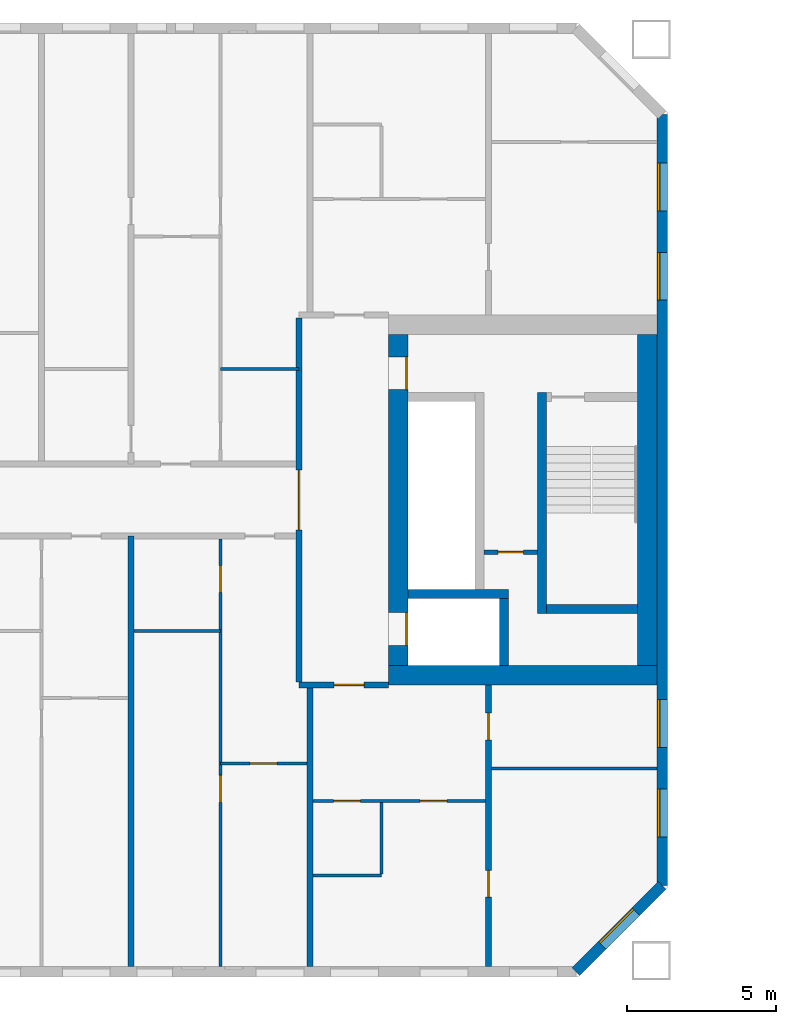
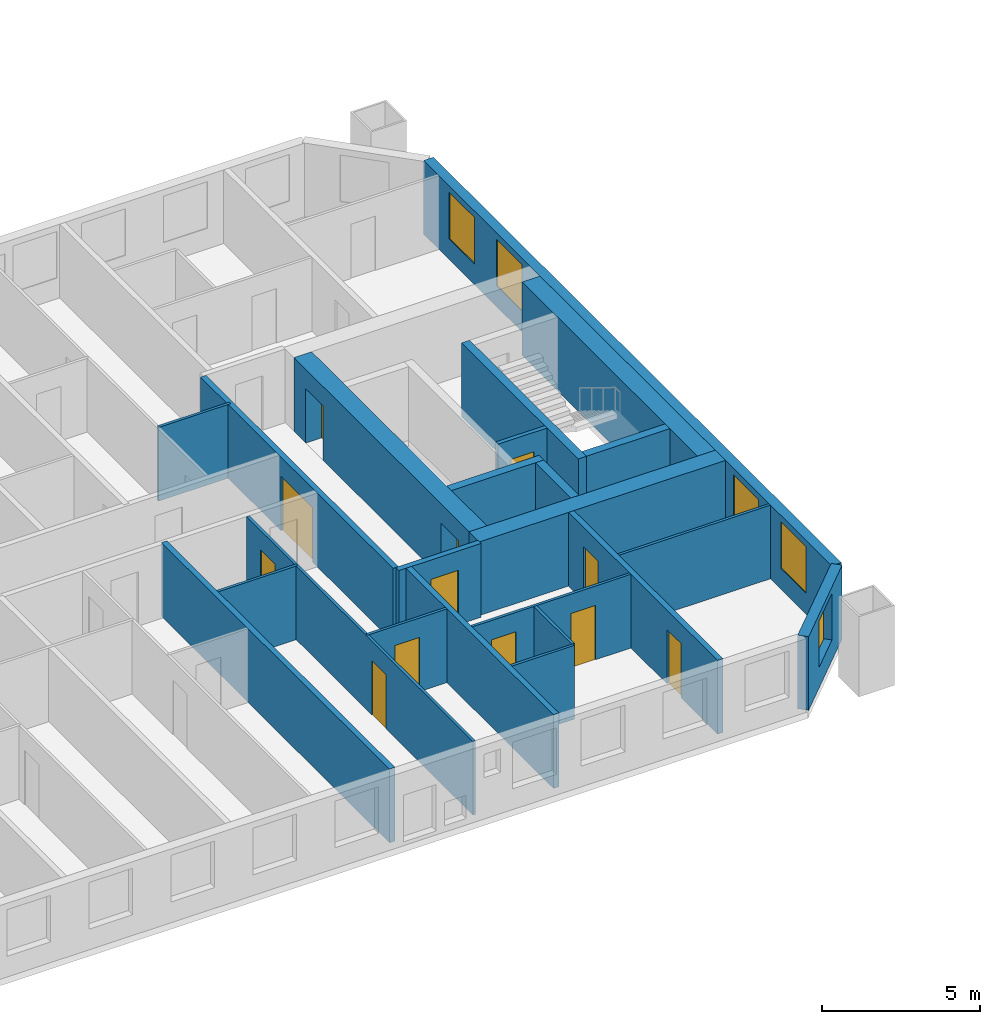
# One storey, part 7 of 17: 23 walls, 12 doors, 5 windows, 17 openings.
"""IFC4 building model written with IfcOpenShell, lengths in metres."""

from ifc_helpers import new_model, si_unit, direction, frame, frame_2d, origin, place, context, subcontext, project, spatial, rectangle, extrude, material, layer, layer_set, type_object, element, fill, save


model = new_model("IFC4")

# Units and contexts
model_context = context("Model", 3, precision=1e-05, world=origin(), true_north=direction((0.0, 1.0)))
body_context = subcontext(model_context, "Body", "Model", "MODEL_VIEW")
ifc_project = project(units=[si_unit("LENGTHUNIT", "METRE"), si_unit("AREAUNIT", "SQUARE_METRE"), si_unit("VOLUMEUNIT", "CUBIC_METRE"), si_unit("PLANEANGLEUNIT", "RADIAN"), si_unit("MASSUNIT", "GRAM", prefix="KILO")], contexts=[model_context])

# Site, building, storey
site_placement = place(None, origin())
site = spatial("IfcSite", under=ifc_project, at=site_placement, CompositionType="ELEMENT")
building_placement = place(site_placement, origin())
building = spatial("IfcBuilding", under=site, at=building_placement, Name="Tuart Gate Housing", CompositionType="ELEMENT")
storey_placement = place(building_placement, frame((0.0, 0.0, 105.699951171875)))
storey = spatial("IfcBuildingStorey", under=building, at=storey_placement, Name="L29", CompositionType="ELEMENT", Elevation=105.699951171875)

# Wall, opening, window
ifc_material_1 = material(Name="Brick", Category="masonry")
ifc_layer_1 = layer(ifc_material_1, 0.360107421875)
ifc_layer_set_1 = layer_set([ifc_layer_1], Name="Brick pier and spandrel wall 360")
wall_type_1 = type_object("IfcWallType", Name="Brick pier and spandrel wall 360", PredefinedType="STANDARD", material=ifc_layer_set_1)
wall_1_placement = place(storey_placement, frame((72.92529296875, 54.179931640625, 0.0), z_axis=(0.0, 0.0, 1.0), x_axis=(0.707106781187, 0.707106781187, 0.0)))
wall_1 = element("IfcWall", 1, at=wall_1_placement, inside=storey, type_object=wall_type_1, Name="External wall A-SE L29", PredefinedType="STANDARD", context=body_context, shape_type="SweptSolid", body=[
    extrude(rectangle(XDim=4.09375, YDim=0.360107421875, at=frame_2d((2.046875, 0.0))), origin(), (0.0, 0.0, 1.0), 2.85009765625),
])
opening_1_placement = place(wall_1_placement, frame((1.2470703125, 0.0, 0.800048828125)))
opening_1 = element("IfcOpeningElement", 2, at=opening_1_placement, cuts=wall_1, Name="Opening W1", PredefinedType="OPENING", context=body_context, shape_type="SweptSolid", body=[
    extrude(rectangle(XDim=1.60009765625, YDim=1.800048828125, at=frame_2d((0.800048828125, 0.89990234375))), frame((0.0, 0.18994140625, 0.0), z_axis=(0.0, -1.0, 0.0), x_axis=(1.0, 0.0, 0.0)), (0.0, 0.0, 1.0), 0.380126953125),
])
ifc_material_2 = material(Name="Aluminium frame with clear glass", Category="aluminium")
window_type = type_object("IfcWindowType", Name="Punched window 1600 x 1800", PartitioningType="SINGLE_PANEL", PredefinedType="WINDOW", material=ifc_material_2)
window_1_placement = place(opening_1_placement, origin())
window_1 = element("IfcWindow", 3, at=window_1_placement, inside=storey, type_object=window_type, Name="Window W1", OverallHeight=1.800048828125, OverallWidth=1.60009765625, PartitioningType="SINGLE_PANEL", PredefinedType="WINDOW", context=body_context, shape_type="SweptSolid", body=[
    extrude(rectangle(XDim=1.60009765625, YDim=1.800048828125, at=frame_2d((0.800048828125, 0.89990234375))), frame((0.0, 0.150146484375, 0.0), z_axis=(0.0, -1.0, 0.0), x_axis=(1.0, 0.0, 0.0)), (0.0, 0.0, 1.0), 0.06005859375),
])
fill(opening_1, window_1)

# Wall, openings, windows
wall_2_placement = place(storey_placement, frame((75.820068359375, 57.07470703125, 0.0), z_axis=(0.0, 0.0, 1.0), x_axis=(0.0, 1.0, 0.0)))
wall_2 = element("IfcWall", 4, at=wall_2_placement, inside=storey, type_object=wall_type_1, Name="External wall A-E L29", PredefinedType="STANDARD", context=body_context, shape_type="SweptSolid", body=[
    extrude(rectangle(XDim=25.850830078125, YDim=0.360107421875, at=frame_2d((12.92529296875, 0.0))), origin(), (0.0, 0.0, 1.0), 2.85009765625),
])
opening_2_placement = place(wall_2_placement, frame((1.62548828125, 0.0, 0.800048828125)))
opening_2 = element("IfcOpeningElement", 5, at=opening_2_placement, cuts=wall_2, Name="Opening W1", PredefinedType="OPENING", context=body_context, shape_type="SweptSolid", body=[
    extrude(rectangle(XDim=1.60009765625, YDim=1.800048828125, at=frame_2d((0.800048828125, 0.89990234375))), frame((0.0, 0.18994140625, 0.0), z_axis=(0.0, -1.0, 0.0), x_axis=(1.0, 0.0, 0.0)), (0.0, 0.0, 1.0), 0.380126953125),
])
opening_3_placement = place(wall_2_placement, frame((4.62548828125, 0.0, 0.800048828125)))
opening_3 = element("IfcOpeningElement", 6, at=opening_3_placement, cuts=wall_2, Name="Opening W1", PredefinedType="OPENING", context=body_context, shape_type="SweptSolid", body=[
    extrude(rectangle(XDim=1.60009765625, YDim=1.800048828125, at=frame_2d((0.800048828125, 0.89990234375))), frame((0.0, 0.18994140625, 0.0), z_axis=(0.0, -1.0, 0.0), x_axis=(1.0, 0.0, 0.0)), (0.0, 0.0, 1.0), 0.380126953125),
])
opening_4_placement = place(wall_2_placement, frame((19.62548828125, 0.0, 0.800048828125)))
opening_4 = element("IfcOpeningElement", 7, at=opening_4_placement, cuts=wall_2, Name="Opening W1", PredefinedType="OPENING", context=body_context, shape_type="SweptSolid", body=[
    extrude(rectangle(XDim=1.60009765625, YDim=1.800048828125, at=frame_2d((0.800048828125, 0.89990234375))), frame((0.0, 0.18994140625, 0.0), z_axis=(0.0, -1.0, 0.0), x_axis=(1.0, 0.0, 0.0)), (0.0, 0.0, 1.0), 0.380126953125),
])
opening_5_placement = place(wall_2_placement, frame((22.62548828125, 0.0, 0.800048828125)))
opening_5 = element("IfcOpeningElement", 8, at=opening_5_placement, cuts=wall_2, Name="Opening W1", PredefinedType="OPENING", context=body_context, shape_type="SweptSolid", body=[
    extrude(rectangle(XDim=1.60009765625, YDim=1.800048828125, at=frame_2d((0.800048828125, 0.89990234375))), frame((0.0, 0.18994140625, 0.0), z_axis=(0.0, -1.0, 0.0), x_axis=(1.0, 0.0, 0.0)), (0.0, 0.0, 1.0), 0.380126953125),
])
window_2_placement = place(opening_2_placement, origin())
window_2 = element("IfcWindow", 9, at=window_2_placement, inside=storey, type_object=window_type, Name="Window W1", OverallHeight=1.800048828125, OverallWidth=1.60009765625, PartitioningType="SINGLE_PANEL", PredefinedType="WINDOW", context=body_context, shape_type="SweptSolid", body=[
    extrude(rectangle(XDim=1.60009765625, YDim=1.800048828125, at=frame_2d((0.800048828125, 0.89990234375))), frame((0.0, 0.150146484375, 0.0), z_axis=(0.0, -1.0, 0.0), x_axis=(1.0, 0.0, 0.0)), (0.0, 0.0, 1.0), 0.06005859375),
])
fill(opening_2, window_2)
window_3_placement = place(opening_3_placement, origin())
window_3 = element("IfcWindow", 10, at=window_3_placement, inside=storey, type_object=window_type, Name="Window W1", OverallHeight=1.800048828125, OverallWidth=1.60009765625, PartitioningType="SINGLE_PANEL", PredefinedType="WINDOW", context=body_context, shape_type="SweptSolid", body=[
    extrude(rectangle(XDim=1.60009765625, YDim=1.800048828125, at=frame_2d((0.800048828125, 0.89990234375))), frame((0.0, 0.150146484375, 0.0), z_axis=(0.0, -1.0, 0.0), x_axis=(1.0, 0.0, 0.0)), (0.0, 0.0, 1.0), 0.06005859375),
])
fill(opening_3, window_3)
window_4_placement = place(opening_4_placement, origin())
window_4 = element("IfcWindow", 11, at=window_4_placement, inside=storey, type_object=window_type, Name="Window W1", OverallHeight=1.800048828125, OverallWidth=1.60009765625, PartitioningType="SINGLE_PANEL", PredefinedType="WINDOW", context=body_context, shape_type="SweptSolid", body=[
    extrude(rectangle(XDim=1.60009765625, YDim=1.800048828125, at=frame_2d((0.800048828125, 0.89990234375))), frame((0.0, 0.150146484375, 0.0), z_axis=(0.0, -1.0, 0.0), x_axis=(1.0, 0.0, 0.0)), (0.0, 0.0, 1.0), 0.06005859375),
])
fill(opening_4, window_4)
window_5_placement = place(opening_5_placement, origin())
window_5 = element("IfcWindow", 12, at=window_5_placement, inside=storey, type_object=window_type, Name="Window W1", OverallHeight=1.800048828125, OverallWidth=1.60009765625, PartitioningType="SINGLE_PANEL", PredefinedType="WINDOW", context=body_context, shape_type="SweptSolid", body=[
    extrude(rectangle(XDim=1.60009765625, YDim=1.800048828125, at=frame_2d((0.800048828125, 0.89990234375))), frame((0.0, 0.150146484375, 0.0), z_axis=(0.0, -1.0, 0.0), x_axis=(1.0, 0.0, 0.0)), (0.0, 0.0, 1.0), 0.06005859375),
])
fill(opening_5, window_5)

# Wall, opening, door
ifc_material_3 = material(Name="Plasterboard partition")
ifc_layer_2 = layer(ifc_material_3, 0.14990234375)
ifc_layer_set_2 = layer_set([ifc_layer_2], Name="Core partition 150")
wall_type_2 = type_object("IfcWallType", Name="Core partition 150", PredefinedType="PARTITIONING", material=ifc_layer_set_2)
wall_3_placement = place(storey_placement, frame((69.840087890625, 68.25, 0.0), z_axis=(0.0, 0.0, 1.0), x_axis=(1.0, 0.0, 0.0)))
wall_3 = element("IfcWall", 13, at=wall_3_placement, inside=storey, type_object=wall_type_2, Name="Core partition AG.3", PredefinedType="PARTITIONING", context=body_context, shape_type="SweptSolid", body=[
    extrude(rectangle(XDim=1.7998046875, YDim=0.14990234375, at=frame_2d((0.89990234375, 0.0))), origin(), (0.0, 0.0, 1.0), 2.85009765625),
])
opening_6_placement = place(wall_3_placement, frame((0.47509765625, 0.0, 0.0)))
opening_6 = element("IfcOpeningElement", 14, at=opening_6_placement, cuts=wall_3, Name="Opening D1214", PredefinedType="OPENING", context=body_context, shape_type="SweptSolid", body=[
    extrude(rectangle(XDim=0.85009765625, YDim=2.10009765625, at=frame_2d((0.425048828125, 1.050048828125))), frame((0.0, 0.0849609375, 0.0), z_axis=(0.0, -1.0, 0.0), x_axis=(1.0, 0.0, 0.0)), (0.0, 0.0, 1.0), 0.169921875),
])
ifc_material_4 = material(Name="Steel fire door", Category="steel")
door_type_1 = type_object("IfcDoorType", Name="Riser door 850 x 2100 RH", OperationType="SINGLE_SWING_RIGHT", PredefinedType="DOOR", material=ifc_material_4)
door_1_placement = place(opening_6_placement, frame((0.85009765625, 0.0, 0.0), z_axis=(0.0, 0.0, 1.0), x_axis=(-1.0, 0.0, 0.0)))
door_1 = element("IfcDoor", 15, at=door_1_placement, inside=storey, type_object=door_type_1, Name="Service room door AG.E1", OperationType="SINGLE_SWING_RIGHT", OverallHeight=2.10009765625, OverallWidth=0.85009765625, PredefinedType="DOOR", context=body_context, shape_type="SweptSolid", body=[
    extrude(rectangle(XDim=0.85009765625, YDim=2.10009765625, at=frame_2d((0.425048828125, 1.050048828125))), frame((0.0, 0.025146484375, 0.0), z_axis=(0.0, -1.0, 0.0), x_axis=(1.0, 0.0, 0.0)), (0.0, 0.0, 1.0), 0.050048828125),
])
fill(opening_6, door_1)

# Walls
ifc_material_5 = material(Name="Concrete C50", Category="concrete")
ifc_layer_3 = layer(ifc_material_5, 0.300048828125)
ifc_layer_set_3 = layer_set([ifc_layer_3], Name="Core wall 300 C50")
wall_type_3 = type_object("IfcWallType", Name="Core wall 300 C50", PredefinedType="SHEAR", material=ifc_layer_set_3)
wall_4_placement = place(storey_placement, frame((71.93994140625, 66.35009765625, 0.0), z_axis=(0.0, 0.0, 1.0), x_axis=(1.0, 0.0, 0.0)))
element("IfcWall", 16, at=wall_4_placement, inside=storey, type_object=wall_type_3, Name="Core wall AG.1", PredefinedType="SHEAR", context=body_context, shape_type="SweptSolid", body=[
    extrude(rectangle(XDim=3.050048828125, YDim=0.300048828125, at=frame_2d((1.52490234375, 0.0))), origin(), (0.0, 0.0, 1.0), 2.85009765625),
])
wall_5_placement = place(storey_placement, frame((67.2900390625, 66.85009765625, 0.0), z_axis=(0.0, 0.0, 1.0), x_axis=(1.0, 0.0, 0.0)))
element("IfcWall", 17, at=wall_5_placement, inside=storey, type_object=wall_type_3, Name="Core wall AG.2", PredefinedType="SHEAR", context=body_context, shape_type="SweptSolid", body=[
    extrude(rectangle(XDim=3.369873046875, YDim=0.300048828125, at=frame_2d((1.68505859375, 0.0))), origin(), (0.0, 0.0, 1.0), 2.85009765625),
])
wall_6_placement = place(storey_placement, frame((70.510009765625, 64.449951171875, 0.0), z_axis=(0.0, 0.0, 1.0), x_axis=(0.0, 1.0, 0.0)))
element("IfcWall", 18, at=wall_6_placement, inside=storey, type_object=wall_type_3, Name="Core wall AG.7", PredefinedType="SHEAR", context=body_context, shape_type="SweptSolid", body=[
    extrude(rectangle(XDim=2.25, YDim=0.300048828125, at=frame_2d((1.125, 0.0))), origin(), (0.0, 0.0, 1.0), 2.85009765625),
])
wall_7_placement = place(storey_placement, frame((71.7900390625, 66.199951171875, 0.0), z_axis=(0.0, 0.0, 1.0), x_axis=(0.0, 1.0, 0.0)))
element("IfcWall", 19, at=wall_7_placement, inside=storey, type_object=wall_type_3, Name="Core wall AG.8", PredefinedType="SHEAR", context=body_context, shape_type="SweptSolid", body=[
    extrude(rectangle(XDim=7.400146484375, YDim=0.300048828125, at=frame_2d((3.7001953125, 0.0))), origin(), (0.0, 0.0, 1.0), 2.85009765625),
])

# Wall, openings, doors
ifc_material_6 = material(Name="Concrete C50", Category="concrete")
ifc_layer_4 = layer(ifc_material_6, 0.64990234375)
ifc_layer_set_4 = layer_set([ifc_layer_4], Name="Core wall 650 C50")
wall_type_4 = type_object("IfcWallType", Name="Core wall 650 C50", PredefinedType="SHEAR", material=ifc_layer_set_4)
wall_8_placement = place(storey_placement, frame((66.965087890625, 64.449951171875, 0.0), z_axis=(0.0, 0.0, 1.0), x_axis=(0.0, 1.0, 0.0)))
wall_8 = element("IfcWall", 20, at=wall_8_placement, inside=storey, type_object=wall_type_4, Name="Core wall AG front", PredefinedType="SHEAR", context=body_context, shape_type="SweptSolid", body=[
    extrude(rectangle(XDim=11.10009765625, YDim=0.64990234375, at=frame_2d((5.550048828125, 0.0))), origin(), (0.0, 0.0, 1.0), 2.85009765625),
])
opening_7_placement = place(wall_8_placement, frame((0.675048828125, 0.0, 0.0)))
opening_7 = element("IfcOpeningElement", 21, at=opening_7_placement, cuts=wall_8, Name="Opening LD-FA1", PredefinedType="OPENING", context=body_context, shape_type="SweptSolid", body=[
    extrude(rectangle(XDim=1.10009765625, YDim=2.10009765625, at=frame_2d((0.550048828125, 1.050048828125))), frame((0.0, 0.3349609375, 0.0), z_axis=(0.0, -1.0, 0.0), x_axis=(1.0, 0.0, 0.0)), (0.0, 0.0, 1.0), 0.669921875),
])
opening_8_placement = place(wall_8_placement, frame((9.25, 0.0, 0.0)))
opening_8 = element("IfcOpeningElement", 22, at=opening_8_placement, cuts=wall_8, Name="Opening D1210", PredefinedType="OPENING", context=body_context, shape_type="SweptSolid", body=[
    extrude(rectangle(XDim=1.10009765625, YDim=2.10009765625, at=frame_2d((0.550048828125, 1.050048828125))), frame((0.0, 0.3349609375, 0.0), z_axis=(0.0, -1.0, 0.0), x_axis=(1.0, 0.0, 0.0)), (0.0, 0.0, 1.0), 0.669921875),
])
ifc_material_7 = material(Name="Stainless steel", Category="steel")
door_type_2 = type_object("IfcDoorType", Name="Landing door 1100 x 2100", OperationType="DOUBLE_DOOR_SLIDING", PredefinedType="DOOR", material=ifc_material_7)
door_2_placement = place(opening_7_placement, origin())
door_2 = element("IfcDoor", 23, at=door_2_placement, inside=storey, type_object=door_type_2, Name="Lift landing door FA1", OperationType="DOUBLE_DOOR_SLIDING", OverallHeight=2.10009765625, OverallWidth=1.10009765625, PredefinedType="DOOR", context=body_context, shape_type="SweptSolid", body=[
    extrude(rectangle(XDim=1.10009765625, YDim=2.10009765625, at=frame_2d((0.550048828125, 1.050048828125))), frame((0.0, -0.259765625, 0.0), z_axis=(0.0, -1.0, 0.0), x_axis=(1.0, 0.0, 0.0)), (0.0, 0.0, 1.0), 0.050048828125),
])
fill(opening_7, door_2)
ifc_material_8 = material(Name="Steel fire door", Category="steel")
door_type_3 = type_object("IfcDoorType", Name="Lobby door 1100 x 2100 RH", OperationType="SINGLE_SWING_RIGHT", PredefinedType="DOOR", material=ifc_material_8)
door_3_placement = place(opening_8_placement, frame((1.10009765625, 0.0, 0.0), z_axis=(0.0, 0.0, 1.0), x_axis=(-1.0, 0.0, 0.0)))
door_3 = element("IfcDoor", 24, at=door_3_placement, inside=storey, type_object=door_type_3, Name="Lobby entry door AG.EN", OperationType="SINGLE_SWING_RIGHT", OverallHeight=2.10009765625, OverallWidth=1.10009765625, PredefinedType="DOOR", context=body_context, shape_type="SweptSolid", body=[
    extrude(rectangle(XDim=1.10009765625, YDim=2.10009765625, at=frame_2d((0.550048828125, 1.050048828125))), frame((0.0, 0.309814453125, 0.0), z_axis=(0.0, -1.0, 0.0), x_axis=(1.0, 0.0, 0.0)), (0.0, 0.0, 1.0), 0.050048828125),
])
fill(opening_8, door_3)

# Walls
wall_9_placement = place(storey_placement, frame((75.31494140625, 64.449951171875, 0.0), z_axis=(0.0, 0.0, 1.0), x_axis=(0.0, 1.0, 0.0)))
element("IfcWall", 25, at=wall_9_placement, inside=storey, type_object=wall_type_4, Name="Core wall AG back", PredefinedType="SHEAR", context=body_context, shape_type="SweptSolid", body=[
    extrude(rectangle(XDim=11.10009765625, YDim=0.64990234375, at=frame_2d((5.550048828125, 0.0))), origin(), (0.0, 0.0, 1.0), 2.85009765625),
])
wall_10_placement = place(storey_placement, frame((66.639892578125, 64.125, 0.0), z_axis=(0.0, 0.0, 1.0), x_axis=(1.0, 0.0, 0.0)))
element("IfcWall", 26, at=wall_10_placement, inside=storey, type_object=wall_type_4, Name="Core wall AG south", PredefinedType="SHEAR", context=body_context, shape_type="SweptSolid", body=[
    extrude(rectangle(XDim=9.0, YDim=0.64990234375, at=frame_2d((4.5, 0.0))), origin(), (0.0, 0.0, 1.0), 2.85009765625),
])

# Wall, opening, door
ifc_material_9 = material(Name="Concrete masonry 15 MPa", Category="masonry")
ifc_layer_5 = layer(ifc_material_9, 0.199951171875)
ifc_layer_set_5 = layer_set([ifc_layer_5], Name="Enclosure wall masonry 200")
wall_type_5 = type_object("IfcWallType", Name="Enclosure wall masonry 200", PredefinedType="PARTITIONING", material=ifc_layer_set_5)
wall_11_placement = place(storey_placement, frame((63.639892578125, 63.800048828125, 0.0), z_axis=(0.0, 0.0, 1.0), x_axis=(1.0, 0.0, 0.0)))
wall_11 = element("IfcWall", 27, at=wall_11_placement, inside=storey, type_object=wall_type_5, Name="Enclosure wall masonry 200", PredefinedType="PARTITIONING", context=body_context, shape_type="SweptSolid", body=[
    extrude(rectangle(XDim=3.0, YDim=0.199951171875, at=frame_2d((1.5, 0.0))), origin(), (0.0, 0.0, 1.0), 2.85009765625),
])
opening_9_placement = place(wall_11_placement, frame((1.179931640625, 0.0, 0.0)))
opening_9 = element("IfcOpeningElement", 28, at=opening_9_placement, cuts=wall_11, Name="Opening D1217", PredefinedType="OPENING", context=body_context, shape_type="SweptSolid", body=[
    extrude(rectangle(XDim=1.0, YDim=2.10009765625, at=frame_2d((0.5, 1.050048828125))), frame((0.0, 0.10986328125, 0.0), z_axis=(0.0, -1.0, 0.0), x_axis=(1.0, 0.0, 0.0)), (0.0, 0.0, 1.0), 0.219970703125),
])
ifc_material_10 = material(Name="Timber door leaf in steel frame", Category="steel")
door_type_4 = type_object("IfcDoorType", Name="Flat entrance door 1000 RH", OperationType="SINGLE_SWING_RIGHT", PredefinedType="DOOR", material=ifc_material_10)
door_4_placement = place(opening_9_placement, frame((1.0, 0.0, 0.0), z_axis=(0.0, 0.0, 1.0), x_axis=(-1.0, 0.0, 0.0)))
door_4 = element("IfcDoor", 29, at=door_4_placement, inside=storey, type_object=door_type_4, Name="Flat entrance door", OperationType="SINGLE_SWING_RIGHT", OverallHeight=2.10009765625, OverallWidth=1.0, PredefinedType="DOOR", context=body_context, shape_type="SweptSolid", body=[
    extrude(rectangle(XDim=1.0, YDim=2.10009765625, at=frame_2d((0.5, 1.050048828125))), frame((0.0, 0.025146484375, 0.0), z_axis=(0.0, -1.0, 0.0), x_axis=(1.0, 0.0, 0.0)), (0.0, 0.0, 1.0), 0.050048828125),
])
fill(opening_9, door_4)

ifc_material_11 = material(Name="Plasterboard partition")
ifc_layer_6 = layer(ifc_material_11, 0.199951171875)
ifc_layer_set_6 = layer_set([ifc_layer_6], Name="Lobby wall 200")
wall_type_6 = type_object("IfcWallType", Name="Lobby wall 200", PredefinedType="PARTITIONING", material=ifc_layer_set_6)
wall_12_placement = place(storey_placement, frame((63.639892578125, 63.89990234375, 0.0), z_axis=(0.0, 0.0, 1.0), x_axis=(0.0, 1.0, 0.0)))
wall_12 = element("IfcWall", 30, at=wall_12_placement, inside=storey, type_object=wall_type_6, Name="Lift lobby wall AG", PredefinedType="PARTITIONING", context=body_context, shape_type="SweptSolid", body=[
    extrude(rectangle(XDim=12.2001953125, YDim=0.199951171875, at=frame_2d((6.10009765625, 0.0))), origin(), (0.0, 0.0, 1.0), 2.85009765625),
])
opening_10_placement = place(wall_12_placement, frame((5.10009765625, 0.0, 0.0)))
opening_10 = element("IfcOpeningElement", 31, at=opening_10_placement, cuts=wall_12, Name="Opening D1209", PredefinedType="OPENING", context=body_context, shape_type="SweptSolid", body=[
    extrude(rectangle(XDim=2.0, YDim=2.10009765625, at=frame_2d((1.0, 1.050048828125))), frame((0.0, 0.10986328125, 0.0), z_axis=(0.0, -1.0, 0.0), x_axis=(1.0, 0.0, 0.0)), (0.0, 0.0, 1.0), 0.219970703125),
])
ifc_material_12 = material(Name="Steel fire door", Category="steel")
door_type_5 = type_object("IfcDoorType", Name="Smoke door 2000 x 2100", OperationType="DOUBLE_DOOR_SINGLE_SWING", PredefinedType="DOOR", material=ifc_material_12)
door_5_placement = place(opening_10_placement, frame((2.0, 0.0, 0.0), z_axis=(0.0, 0.0, 1.0), x_axis=(-1.0, 0.0, 0.0)))
door_5 = element("IfcDoor", 32, at=door_5_placement, inside=storey, type_object=door_type_5, Name="Lift lobby smoke door AG", OperationType="DOUBLE_DOOR_SINGLE_SWING", OverallHeight=2.10009765625, OverallWidth=2.0, PredefinedType="DOOR", context=body_context, shape_type="SweptSolid", body=[
    extrude(rectangle(XDim=2.0, YDim=2.10009765625, at=frame_2d((1.0, 1.050048828125))), frame((0.0, 0.025146484375, 0.0), z_axis=(0.0, -1.0, 0.0), x_axis=(1.0, 0.0, 0.0)), (0.0, 0.0, 1.0), 0.050048828125),
])
fill(opening_10, door_5)

# Wall
ifc_material_13 = material(Name="Gypsum board on steel studs", Category="steel")
ifc_layer_7 = layer(ifc_material_13, 0.10009765625)
ifc_layer_set_7 = layer_set([ifc_layer_7], Name="Partition 100")
wall_type_7 = type_object("IfcWallType", Name="Partition 100", PredefinedType="PARTITIONING", material=ifc_layer_set_7)
wall_13_placement = place(storey_placement, frame((64.10009765625, 57.39990234375, 0.0), z_axis=(0.0, 0.0, 1.0), x_axis=(1.0, 0.0, 0.0)))
element("IfcWall", 33, at=wall_13_placement, inside=storey, type_object=wall_type_7, Name="Partition 100", PredefinedType="PARTITIONING", context=body_context, shape_type="SweptSolid", body=[
    extrude(rectangle(XDim=2.2998046875, YDim=0.10009765625, at=frame_2d((1.14990234375, 0.0))), origin(), (0.0, 0.0, 1.0), 2.85009765625),
])

# Wall, openings, doors
wall_14_placement = place(storey_placement, frame((64.10009765625, 59.89990234375, 0.0), z_axis=(0.0, 0.0, 1.0), x_axis=(1.0, 0.0, 0.0)))
wall_14 = element("IfcWall", 34, at=wall_14_placement, inside=storey, type_object=wall_type_7, Name="Partition 100", PredefinedType="PARTITIONING", context=body_context, shape_type="SweptSolid", body=[
    extrude(rectangle(XDim=5.7998046875, YDim=0.10009765625, at=frame_2d((2.89990234375, 0.0))), origin(), (0.0, 0.0, 1.0), 2.85009765625),
])
opening_11_placement = place(wall_14_placement, frame((3.60009765625, 0.0, 0.0)))
opening_11 = element("IfcOpeningElement", 35, at=opening_11_placement, cuts=wall_14, Name="Opening D1231", PredefinedType="OPENING", context=body_context, shape_type="SweptSolid", body=[
    extrude(rectangle(XDim=0.89990234375, YDim=2.10009765625, at=frame_2d((0.449951171875, 1.050048828125))), frame((0.0, 0.06005859375, 0.0), z_axis=(0.0, -1.0, 0.0), x_axis=(1.0, 0.0, 0.0)), (0.0, 0.0, 1.0), 0.1201171875),
])
opening_12_placement = place(wall_14_placement, frame((0.699951171875, 0.0, 0.0)))
opening_12 = element("IfcOpeningElement", 36, at=opening_12_placement, cuts=wall_14, Name="Opening D1230", PredefinedType="OPENING", context=body_context, shape_type="SweptSolid", body=[
    extrude(rectangle(XDim=0.89990234375, YDim=2.10009765625, at=frame_2d((0.449951171875, 1.050048828125))), frame((0.0, 0.06005859375, 0.0), z_axis=(0.0, -1.0, 0.0), x_axis=(1.0, 0.0, 0.0)), (0.0, 0.0, 1.0), 0.1201171875),
])
ifc_material_14 = material(Name="Timber door leaf in steel frame", Category="steel")
door_type_6 = type_object("IfcDoorType", Name="Bathroom door 900", OperationType="SINGLE_SWING_LEFT", PredefinedType="DOOR", material=ifc_material_14)
door_6_placement = place(opening_12_placement, frame((0.89990234375, 0.0, 0.0), z_axis=(0.0, 0.0, 1.0), x_axis=(-1.0, 0.0, 0.0)))
door_6 = element("IfcDoor", 37, at=door_6_placement, inside=storey, type_object=door_type_6, Name="Bathroom door", OperationType="SINGLE_SWING_LEFT", OverallHeight=2.10009765625, OverallWidth=0.89990234375, PredefinedType="DOOR", context=body_context, shape_type="SweptSolid", body=[
    extrude(rectangle(XDim=0.89990234375, YDim=2.10009765625, at=frame_2d((0.449951171875, 1.050048828125))), frame((0.0, 0.025146484375, 0.0), z_axis=(0.0, -1.0, 0.0), x_axis=(1.0, 0.0, 0.0)), (0.0, 0.0, 1.0), 0.050048828125),
])
fill(opening_12, door_6)
ifc_material_15 = material(Name="Timber door leaf in steel frame", Category="steel")
door_type_7 = type_object("IfcDoorType", Name="Internal door 900 RH", OperationType="SINGLE_SWING_RIGHT", PredefinedType="DOOR", material=ifc_material_15)
door_7_placement = place(opening_11_placement, origin())
door_7 = element("IfcDoor", 38, at=door_7_placement, inside=storey, type_object=door_type_7, Name="Internal door", OperationType="SINGLE_SWING_RIGHT", OverallHeight=2.10009765625, OverallWidth=0.89990234375, PredefinedType="DOOR", context=body_context, shape_type="SweptSolid", body=[
    extrude(rectangle(XDim=0.89990234375, YDim=2.10009765625, at=frame_2d((0.449951171875, 1.050048828125))), frame((0.0, 0.02490234375, 0.0), z_axis=(0.0, -1.0, 0.0), x_axis=(1.0, 0.0, 0.0)), (0.0, 0.0, 1.0), 0.050048828125),
])
fill(opening_11, door_7)

# Wall
wall_15_placement = place(storey_placement, frame((70.10009765625, 61.0, 0.0), z_axis=(0.0, 0.0, 1.0), x_axis=(1.0, 0.0, 0.0)))
element("IfcWall", 39, at=wall_15_placement, inside=storey, type_object=wall_type_7, Name="Partition 100", PredefinedType="PARTITIONING", context=body_context, shape_type="SweptSolid", body=[
    extrude(rectangle(XDim=5.539794921875, YDim=0.10009765625, at=frame_2d((2.77001953125, 0.0))), origin(), (0.0, 0.0, 1.0), 2.85009765625),
])

# Wall, opening, door
wall_16_placement = place(storey_placement, frame((61.0, 61.159912109375, 0.0), z_axis=(0.0, 0.0, 1.0), x_axis=(1.0, 0.0, 0.0)))
wall_16 = element("IfcWall", 40, at=wall_16_placement, inside=storey, type_object=wall_type_7, Name="Partition 100", PredefinedType="PARTITIONING", context=body_context, shape_type="SweptSolid", body=[
    extrude(rectangle(XDim=2.89990234375, YDim=0.10009765625, at=frame_2d((1.449951171875, 0.0))), origin(), (0.0, 0.0, 1.0), 2.85009765625),
])
opening_13_placement = place(wall_16_placement, frame((1.0, 0.0, 0.0)))
opening_13 = element("IfcOpeningElement", 41, at=opening_13_placement, cuts=wall_16, Name="Opening D1229", PredefinedType="OPENING", context=body_context, shape_type="SweptSolid", body=[
    extrude(rectangle(XDim=0.89990234375, YDim=2.10009765625, at=frame_2d((0.449951171875, 1.050048828125))), frame((0.0, 0.06005859375, 0.0), z_axis=(0.0, -1.0, 0.0), x_axis=(1.0, 0.0, 0.0)), (0.0, 0.0, 1.0), 0.1201171875),
])
ifc_material_16 = material(Name="Timber door leaf in steel frame", Category="steel")
door_type_8 = type_object("IfcDoorType", Name="Internal door 900", OperationType="SINGLE_SWING_LEFT", PredefinedType="DOOR", material=ifc_material_16)
door_8_placement = place(opening_13_placement, origin())
door_8 = element("IfcDoor", 42, at=door_8_placement, inside=storey, type_object=door_type_8, Name="Internal door", OperationType="SINGLE_SWING_LEFT", OverallHeight=2.10009765625, OverallWidth=0.89990234375, PredefinedType="DOOR", context=body_context, shape_type="SweptSolid", body=[
    extrude(rectangle(XDim=0.89990234375, YDim=2.10009765625, at=frame_2d((0.449951171875, 1.050048828125))), frame((0.0, 0.02490234375, 0.0), z_axis=(0.0, -1.0, 0.0), x_axis=(1.0, 0.0, 0.0)), (0.0, 0.0, 1.0), 0.050048828125),
])
fill(opening_13, door_8)

# Walls
wall_17_placement = place(storey_placement, frame((58.10009765625, 65.60009765625, 0.0), z_axis=(0.0, 0.0, 1.0), x_axis=(1.0, 0.0, 0.0)))
element("IfcWall", 43, at=wall_17_placement, inside=storey, type_object=wall_type_7, Name="Partition 100", PredefinedType="PARTITIONING", context=body_context, shape_type="SweptSolid", body=[
    extrude(rectangle(XDim=2.89990234375, YDim=0.10009765625, at=frame_2d((1.449951171875, 0.0))), origin(), (0.0, 0.0, 1.0), 2.85009765625),
])
wall_18_placement = place(storey_placement, frame((61.0, 74.39990234375, 0.0), z_axis=(0.0, 0.0, 1.0), x_axis=(1.0, 0.0, 0.0)))
element("IfcWall", 44, at=wall_18_placement, inside=storey, type_object=wall_type_7, Name="Partition 100", PredefinedType="PARTITIONING", context=body_context, shape_type="SweptSolid", body=[
    extrude(rectangle(XDim=2.639892578125, YDim=0.10009765625, at=frame_2d((1.31982421875, 0.0))), origin(), (0.0, 0.0, 1.0), 2.85009765625),
])

# Wall, openings, doors
wall_19_placement = place(storey_placement, frame((61.0, 54.360107421875, 0.0), z_axis=(0.0, 0.0, 1.0), x_axis=(0.0, 1.0, 0.0)))
wall_19 = element("IfcWall", 45, at=wall_19_placement, inside=storey, type_object=wall_type_7, Name="Partition 100", PredefinedType="PARTITIONING", context=body_context, shape_type="SweptSolid", body=[
    extrude(rectangle(XDim=14.33984375, YDim=0.10009765625, at=frame_2d((7.169921875, 0.0))), origin(), (0.0, 0.0, 1.0), 2.85009765625),
])
opening_14_placement = place(wall_19_placement, frame((5.5, 0.0, 0.0)))
opening_14 = element("IfcOpeningElement", 46, at=opening_14_placement, cuts=wall_19, Name="Opening D1225", PredefinedType="OPENING", context=body_context, shape_type="SweptSolid", body=[
    extrude(rectangle(XDim=0.89990234375, YDim=2.10009765625, at=frame_2d((0.449951171875, 1.050048828125))), frame((0.0, 0.06005859375, 0.0), z_axis=(0.0, -1.0, 0.0), x_axis=(1.0, 0.0, 0.0)), (0.0, 0.0, 1.0), 0.1201171875),
])
opening_15_placement = place(wall_19_placement, frame((12.5400390625, 0.0, 0.0)))
opening_15 = element("IfcOpeningElement", 47, at=opening_15_placement, cuts=wall_19, Name="Opening D1224", PredefinedType="OPENING", context=body_context, shape_type="SweptSolid", body=[
    extrude(rectangle(XDim=0.89990234375, YDim=2.10009765625, at=frame_2d((0.449951171875, 1.050048828125))), frame((0.0, 0.06005859375, 0.0), z_axis=(0.0, -1.0, 0.0), x_axis=(1.0, 0.0, 0.0)), (0.0, 0.0, 1.0), 0.1201171875),
])
ifc_material_17 = material(Name="Timber door leaf in steel frame", Category="steel")
door_type_9 = type_object("IfcDoorType", Name="Bathroom door 900 RH", OperationType="SINGLE_SWING_RIGHT", PredefinedType="DOOR", material=ifc_material_17)
door_9_placement = place(opening_15_placement, origin())
door_9 = element("IfcDoor", 48, at=door_9_placement, inside=storey, type_object=door_type_9, Name="Bathroom door", OperationType="SINGLE_SWING_RIGHT", OverallHeight=2.10009765625, OverallWidth=0.89990234375, PredefinedType="DOOR", context=body_context, shape_type="SweptSolid", body=[
    extrude(rectangle(XDim=0.89990234375, YDim=2.10009765625, at=frame_2d((0.449951171875, 1.050048828125))), frame((0.0, 0.02490234375, 0.0), z_axis=(0.0, -1.0, 0.0), x_axis=(1.0, 0.0, 0.0)), (0.0, 0.0, 1.0), 0.050048828125),
])
fill(opening_15, door_9)
door_10_placement = place(opening_14_placement, origin())
door_10 = element("IfcDoor", 49, at=door_10_placement, inside=storey, type_object=door_type_7, Name="Internal door", OperationType="SINGLE_SWING_RIGHT", OverallHeight=2.10009765625, OverallWidth=0.89990234375, PredefinedType="DOOR", context=body_context, shape_type="SweptSolid", body=[
    extrude(rectangle(XDim=0.89990234375, YDim=2.10009765625, at=frame_2d((0.449951171875, 1.050048828125))), frame((0.0, 0.02490234375, 0.0), z_axis=(0.0, -1.0, 0.0), x_axis=(1.0, 0.0, 0.0)), (0.0, 0.0, 1.0), 0.050048828125),
])
fill(opening_14, door_10)

# Walls
wall_20_placement = place(storey_placement, frame((66.39990234375, 57.449951171875, 0.0), z_axis=(0.0, 0.0, 1.0), x_axis=(0.0, 1.0, 0.0)))
element("IfcWall", 50, at=wall_20_placement, inside=storey, type_object=wall_type_7, Name="Partition 100", PredefinedType="PARTITIONING", context=body_context, shape_type="SweptSolid", body=[
    extrude(rectangle(XDim=2.400146484375, YDim=0.10009765625, at=frame_2d((1.2001953125, 0.0))), origin(), (0.0, 0.0, 1.0), 2.85009765625),
])
ifc_material_18 = material(Name="Concrete C40", Category="concrete")
ifc_layer_8 = layer(ifc_material_18, 0.199951171875)
ifc_layer_set_8 = layer_set([ifc_layer_8], Name="Party wall concrete C40 200")
wall_type_8 = type_object("IfcWallType", Name="Party wall concrete C40 200", PredefinedType="SOLIDWALL", material=ifc_layer_set_8)
wall_21_placement = place(storey_placement, frame((58.0, 54.360107421875, 0.0), z_axis=(0.0, 0.0, 1.0), x_axis=(0.0, 1.0, 0.0)))
element("IfcWall", 51, at=wall_21_placement, inside=storey, type_object=wall_type_8, Name="Party wall concrete C40 200", PredefinedType="SOLIDWALL", context=body_context, shape_type="SweptSolid", body=[
    extrude(rectangle(XDim=14.43994140625, YDim=0.199951171875, at=frame_2d((7.219970703125, 0.0))), origin(), (0.0, 0.0, 1.0), 2.85009765625),
])
wall_22_placement = place(storey_placement, frame((64.0, 54.360107421875, 0.0), z_axis=(0.0, 0.0, 1.0), x_axis=(0.0, 1.0, 0.0)))
element("IfcWall", 52, at=wall_22_placement, inside=storey, type_object=wall_type_8, Name="Party wall concrete C40 200", PredefinedType="SOLIDWALL", context=body_context, shape_type="SweptSolid", body=[
    extrude(rectangle(XDim=9.43994140625, YDim=0.199951171875, at=frame_2d((4.719970703125, 0.0))), origin(), (0.0, 0.0, 1.0), 2.85009765625),
])

# Wall, openings, doors
wall_23_placement = place(storey_placement, frame((70.0, 54.360107421875, 0.0), z_axis=(0.0, 0.0, 1.0), x_axis=(0.0, 1.0, 0.0)))
wall_23 = element("IfcWall", 53, at=wall_23_placement, inside=storey, type_object=wall_type_8, Name="Party wall concrete C40 200", PredefinedType="SOLIDWALL", context=body_context, shape_type="SweptSolid", body=[
    extrude(rectangle(XDim=9.43994140625, YDim=0.199951171875, at=frame_2d((4.719970703125, 0.0))), origin(), (0.0, 0.0, 1.0), 2.85009765625),
])
opening_16_placement = place(wall_23_placement, frame((2.320068359375, 0.0, 0.0)))
opening_16 = element("IfcOpeningElement", 54, at=opening_16_placement, cuts=wall_23, Name="Opening D1235", PredefinedType="OPENING", context=body_context, shape_type="SweptSolid", body=[
    extrude(rectangle(XDim=0.89990234375, YDim=2.10009765625, at=frame_2d((0.449951171875, 1.050048828125))), frame((0.0, 0.10986328125, 0.0), z_axis=(0.0, -1.0, 0.0), x_axis=(1.0, 0.0, 0.0)), (0.0, 0.0, 1.0), 0.219970703125),
])
opening_17_placement = place(wall_23_placement, frame((7.590087890625, 0.0, 0.0)))
opening_17 = element("IfcOpeningElement", 55, at=opening_17_placement, cuts=wall_23, Name="Opening D1236", PredefinedType="OPENING", context=body_context, shape_type="SweptSolid", body=[
    extrude(rectangle(XDim=0.89990234375, YDim=2.10009765625, at=frame_2d((0.449951171875, 1.050048828125))), frame((0.0, 0.10986328125, 0.0), z_axis=(0.0, -1.0, 0.0), x_axis=(1.0, 0.0, 0.0)), (0.0, 0.0, 1.0), 0.219970703125),
])
door_11_placement = place(opening_16_placement, frame((0.89990234375, 0.0, 0.0), z_axis=(0.0, 0.0, 1.0), x_axis=(-1.0, 0.0, 0.0)))
door_11 = element("IfcDoor", 56, at=door_11_placement, inside=storey, type_object=door_type_7, Name="Internal door", OperationType="SINGLE_SWING_RIGHT", OverallHeight=2.10009765625, OverallWidth=0.89990234375, PredefinedType="DOOR", context=body_context, shape_type="SweptSolid", body=[
    extrude(rectangle(XDim=0.89990234375, YDim=2.10009765625, at=frame_2d((0.449951171875, 1.050048828125))), frame((0.0, 0.025146484375, 0.0), z_axis=(0.0, -1.0, 0.0), x_axis=(1.0, 0.0, 0.0)), (0.0, 0.0, 1.0), 0.050048828125),
])
fill(opening_16, door_11)
door_12_placement = place(opening_17_placement, frame((0.89990234375, 0.0, 0.0), z_axis=(0.0, 0.0, 1.0), x_axis=(-1.0, 0.0, 0.0)))
door_12 = element("IfcDoor", 57, at=door_12_placement, inside=storey, type_object=door_type_7, Name="Internal door", OperationType="SINGLE_SWING_RIGHT", OverallHeight=2.10009765625, OverallWidth=0.89990234375, PredefinedType="DOOR", context=body_context, shape_type="SweptSolid", body=[
    extrude(rectangle(XDim=0.89990234375, YDim=2.10009765625, at=frame_2d((0.449951171875, 1.050048828125))), frame((0.0, 0.025146484375, 0.0), z_axis=(0.0, -1.0, 0.0), x_axis=(1.0, 0.0, 0.0)), (0.0, 0.0, 1.0), 0.050048828125),
])
fill(opening_17, door_12)

save(model, "model.ifc")
